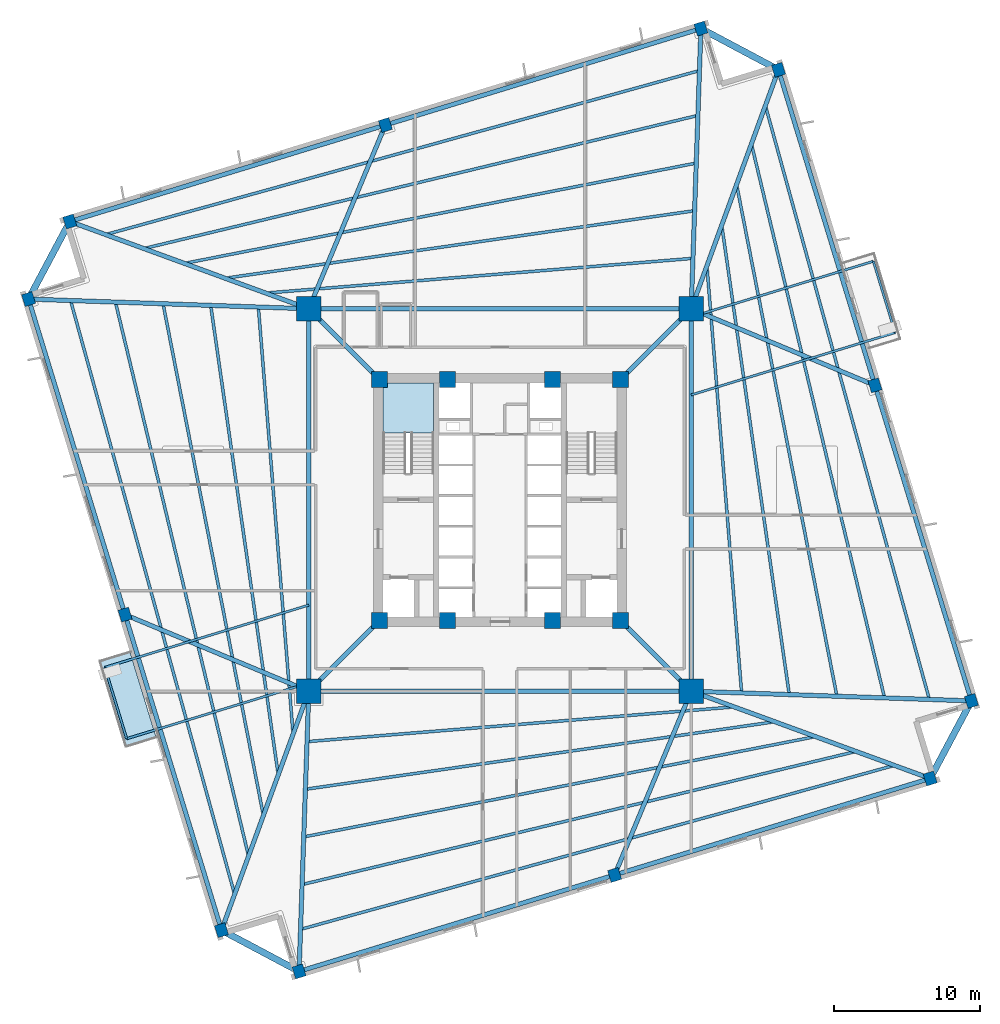
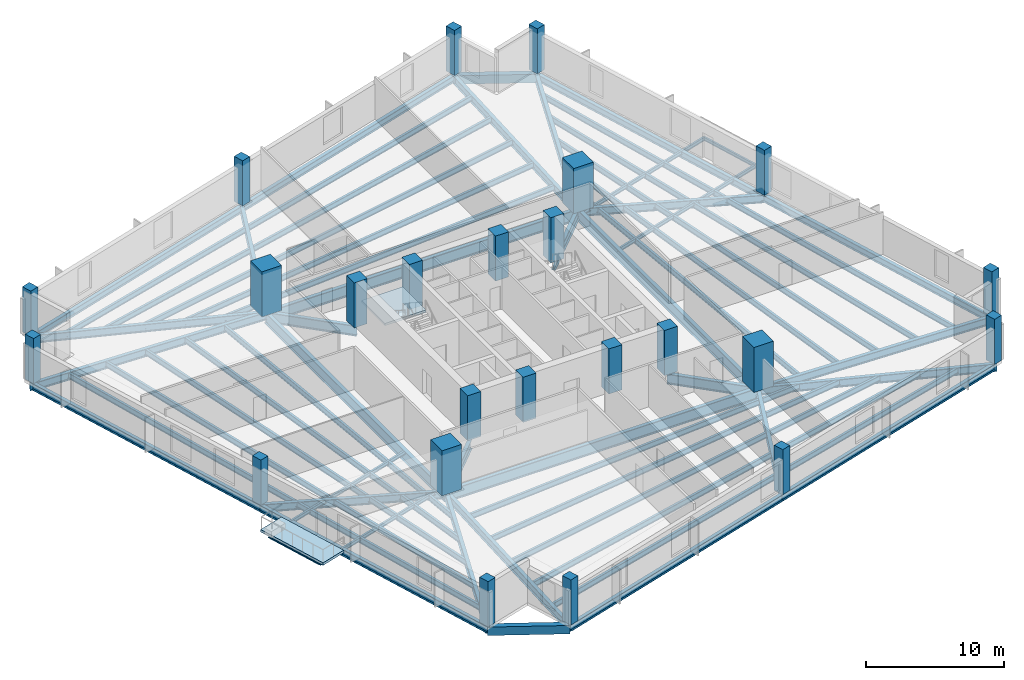
# One storey, part 1 of 9: 58 beams, 24 columns, 2 slabs, 1 element without a shape of its own.
"""IFC4 building model written with IfcOpenShell, lengths in metres."""

from ifc_helpers import new_model, si_unit, direction, frame, origin, origin_2d, place, context, subcontext, project, spatial, polyline, rectangle, i_section, outline, extrude, source, transform, mapped, material, layer, layer_set, material_profile, profile_set, type_object, element, aggregate, save


model = new_model("IFC4")

# Units and contexts
model_context = context("Model", 3, precision=1e-05, world=origin(), true_north=direction((0.0, 1.0)))
body_context = subcontext(model_context, "Body", "Model", "MODEL_VIEW")
ifc_project = project(units=[si_unit("LENGTHUNIT", "METRE"), si_unit("AREAUNIT", "SQUARE_METRE"), si_unit("VOLUMEUNIT", "CUBIC_METRE"), si_unit("PLANEANGLEUNIT", "RADIAN"), si_unit("MASSUNIT", "GRAM", prefix="KILO"), si_unit("THERMODYNAMICTEMPERATUREUNIT", "KELVIN")], contexts=[model_context])

# Site, building, storey
site_placement = place(None, origin())
site = spatial("IfcSite", under=ifc_project, at=site_placement, CompositionType="ELEMENT")
building_placement = place(site_placement, origin())
building = spatial("IfcBuilding", under=site, at=building_placement, Name="Kosmvard Interchange Tower", CompositionType="ELEMENT")
storey_placement = place(building_placement, frame((0.0, 0.0, 107.199951171875)))
storey = spatial("IfcBuildingStorey", under=building, at=storey_placement, Name="L25", CompositionType="ELEMENT", Elevation=107.199951171875)

# Columns
ifc_material_1 = material(Name="Concrete C80/95", Category="concrete")
ifc_material_profile_1 = material_profile(ifc_material_1, rectangle(XDim=1.10009765625, YDim=1.10009765625, at=origin_2d()), Name="CP 1100x1100")
ifc_profile_set_1 = profile_set([ifc_material_profile_1], Name="Concrete C80/95")
column_type_1 = type_object("IfcColumnType", Name="Core Boundary Pilaster 1100x1100 C80/95", PredefinedType="PILASTER", material=ifc_profile_set_1)
shared_shape_1 = source(origin(), body_context, "Body", "SweptSolid", [
    extrude(rectangle(XDim=1.10009765625, YDim=1.10009765625, at=origin_2d()), origin(), (0.0, 0.0, 1.0), 4.0),
])
for number, where, z_axis, x_axis, name in (
    (1, (-8.25, -8.25, 0.0), (0.0, 0.0, 1.0), (1.0, 0.0, 0.0), "L25 Core Pilaster CP1"),
    (2, (8.25, -8.25, 0.0), (0.0, 0.0, 1.0), (1.0, 0.0, 0.0), "L25 Core Pilaster CP2"),
    (3, (8.25, 8.25, 0.0), (0.0, 0.0, 1.0), (1.0, 0.0, 0.0), "L25 Core Pilaster CP3"),
    (4, (-8.25, 8.25, 0.0), (0.0, 0.0, 1.0), (1.0, 0.0, 0.0), "L25 Core Pilaster CP4"),
    (5, (-3.60009765625, -8.25, 0.0), (0.0, 0.0, 1.0), (1.0, 0.0, 0.0), "L25 Core Pilaster CP5"),
    (6, (3.60009765625, -8.25, 0.0), (0.0, 0.0, 1.0), (1.0, 0.0, 0.0), "L25 Core Pilaster CP6"),
    (7, (-3.60009765625, 8.25, 0.0), (0.0, 0.0, 1.0), (1.0, 0.0, 0.0), "L25 Core Pilaster CP7"),
    (8, (3.60009765625, 8.25, 0.0), (0.0, 0.0, 1.0), (1.0, 0.0, 0.0), "L25 Core Pilaster CP8"),
):
    element("IfcColumn", number, at=place(storey_placement, frame(where, z_axis=z_axis, x_axis=x_axis)), inside=storey, type_object=column_type_1, Name=name, PredefinedType="PILASTER", context=body_context, shape_type="MappedRepresentation", body=[
        mapped(shared_shape_1, transform((0.0, 0.0, 0.0), scale=1.0)),
    ])
ifc_material_2 = material(Name="Concrete C70/85", Category="concrete")
ifc_material_profile_2 = material_profile(ifc_material_2, rectangle(XDim=1.64990234375, YDim=1.64990234375, at=origin_2d()), Name="MC 1650x1650")
ifc_profile_set_2 = profile_set([ifc_material_profile_2], Name="Concrete C70/85")
column_type_2 = type_object("IfcColumnType", Name="Composite Mega-Column 1650x1650 C70/85", PredefinedType="COLUMN", material=ifc_profile_set_2)
shared_shape_2 = source(origin(), body_context, "Body", "SweptSolid", [
    extrude(rectangle(XDim=1.64990234375, YDim=1.64990234375, at=origin_2d()), origin(), (0.0, 0.0, 1.0), 4.0),
])
for number, where, z_axis, x_axis, name in (
    (9, (-13.0810546875, -13.0810546875, 0.0), (0.0, 0.0, 1.0), (1.0, 0.0, 0.0), "L25 Corner Mega-Column MC1"),
    (10, (13.0810546875, -13.0810546875, 0.0), (0.0, 0.0, 1.0), (1.0, 0.0, 0.0), "L25 Corner Mega-Column MC2"),
    (11, (13.0810546875, 13.0810546875, 0.0), (0.0, 0.0, 1.0), (1.0, 0.0, 0.0), "L25 Corner Mega-Column MC3"),
    (12, (-13.0810546875, 13.0810546875, 0.0), (0.0, 0.0, 1.0), (1.0, 0.0, 0.0), "L25 Corner Mega-Column MC4"),
):
    element("IfcColumn", number, at=place(storey_placement, frame(where, z_axis=z_axis, x_axis=x_axis)), inside=storey, type_object=column_type_2, Name=name, PredefinedType="COLUMN", context=body_context, shape_type="MappedRepresentation", body=[
        mapped(shared_shape_2, transform((0.0, 0.0, 0.0), scale=1.0)),
    ])
ifc_material_3 = material(Name="Concrete C60/75", Category="concrete")
ifc_material_profile_3 = material_profile(ifc_material_3, rectangle(XDim=0.75, YDim=0.85009765625, at=origin_2d()), Name="TC 850x750")
ifc_profile_set_3 = profile_set([ifc_material_profile_3], Name="Concrete C60/75")
column_type_3 = type_object("IfcColumnType", Name="Zone 2 Perimeter Pier Column 850x750 C60/75", PredefinedType="COLUMN", material=ifc_profile_set_3)
shared_shape_3 = source(origin(), body_context, "Body", "SweptSolid", [
    extrude(rectangle(XDim=0.75, YDim=0.85009765625, at=origin_2d()), origin(), (0.0, 0.0, 1.0), 4.0),
])
for number, where, z_axis, x_axis, name in (
    (13, (-13.74560546875, -32.253173828125, 0.0), (0.0, 0.0, 1.0), (0.956304755963, 0.292371704723, 0.0), "L25 Perimeter Pier Column TC-S1"),
    (14, (7.8427734375, -25.65283203125, 0.0), (0.0, 0.0, 1.0), (0.956304755963, 0.292371704723, 0.0), "L25 Perimeter Pier Column TC-S2"),
    (15, (29.431396484375, -19.052490234375, 0.0), (0.0, 0.0, 1.0), (0.956304755963, 0.292371704723, 0.0), "L25 Perimeter Pier Column TC-S3"),
    (16, (32.253173828125, -13.74560546875, 0.0), (0.0, 0.0, 1.0), (0.956304755963, 0.292371704723, 0.0), "L25 Perimeter Pier Column TC-E1"),
    (17, (25.65283203125, 7.8427734375, 0.0), (0.0, 0.0, 1.0), (0.956304755963, 0.292371704723, 0.0), "L25 Perimeter Pier Column TC-E2"),
    (18, (19.052490234375, 29.431396484375, 0.0), (0.0, 0.0, 1.0), (0.956304755963, 0.292371704723, 0.0), "L25 Perimeter Pier Column TC-E3"),
    (19, (13.74560546875, 32.253173828125, 0.0), (0.0, 0.0, 1.0), (0.956304755963, 0.292371704723, 0.0), "L25 Perimeter Pier Column TC-N1"),
    (20, (-7.8427734375, 25.65283203125, 0.0), (0.0, 0.0, 1.0), (0.956304755963, 0.292371704723, 0.0), "L25 Perimeter Pier Column TC-N2"),
    (21, (-29.431396484375, 19.052490234375, 0.0), (0.0, 0.0, 1.0), (0.956304755963, 0.292371704723, 0.0), "L25 Perimeter Pier Column TC-N3"),
    (22, (-32.253173828125, 13.74560546875, 0.0), (0.0, 0.0, 1.0), (0.956304755963, 0.292371704723, 0.0), "L25 Perimeter Pier Column TC-W1"),
    (23, (-25.65283203125, -7.8427734375, 0.0), (0.0, 0.0, 1.0), (0.956304755963, 0.292371704723, 0.0), "L25 Perimeter Pier Column TC-W2"),
    (24, (-19.052490234375, -29.431396484375, 0.0), (0.0, 0.0, 1.0), (0.956304755963, 0.292371704723, 0.0), "L25 Perimeter Pier Column TC-W3"),
):
    element("IfcColumn", number, at=place(storey_placement, frame(where, z_axis=z_axis, x_axis=x_axis)), inside=storey, type_object=column_type_3, Name=name, PredefinedType="COLUMN", context=body_context, shape_type="MappedRepresentation", body=[
        mapped(shared_shape_3, transform((0.0, 0.0, 0.0), scale=1.0)),
    ])

# Beams
ifc_material_4 = material(Name="Steel S460", Category="steel")
ifc_material_profile_4 = material_profile(ifc_material_4, i_section(OverallWidth=0.30810546875, OverallDepth=0.909912109375, WebThickness=0.02099609375, FlangeThickness=0.0400390625, FilletRadius=0.027099609375, at=origin_2d()), Name="HEM 900")
ifc_profile_set_4 = profile_set([ifc_material_profile_4], Name="Steel S460")
beam_type_1 = type_object("IfcBeamType", Name="Primary Mega-Frame Girder HEM 900 S460", PredefinedType="BEAM", material=ifc_profile_set_4)
shared_shape_4 = source(origin(), body_context, "Body", "SweptSolid", [
    extrude(i_section(OverallWidth=0.30810546875, OverallDepth=0.909912109375, WebThickness=0.02099609375, FlangeThickness=0.0400390625, FilletRadius=0.027099609375, at=origin_2d()), origin(), (0.0, 0.0, 1.0), 6.83203125),
])
for number, where, z_axis, x_axis, name in (
    (25, (-8.25, -8.25, -0.71484375), (-0.707106781187, -0.707106781187, 0.0), (0.707106781187, -0.707106781187, 0.0), "L25 Radial Mega-Frame Girder 1"),
    (26, (8.25, -8.25, -0.71484375), (0.707106781187, -0.707106781187, 0.0), (0.707106781187, 0.707106781187, 0.0), "L25 Radial Mega-Frame Girder 2"),
    (27, (8.25, 8.25, -0.71484375), (0.707106781187, 0.707106781187, 0.0), (-0.707106781187, 0.707106781187, 0.0), "L25 Radial Mega-Frame Girder 3"),
    (28, (-8.25, 8.25, -0.71484375), (-0.707106781187, 0.707106781187, 0.0), (-0.707106781187, -0.707106781187, 0.0), "L25 Radial Mega-Frame Girder 4"),
):
    element("IfcBeam", number, at=place(storey_placement, frame(where, z_axis=z_axis, x_axis=x_axis)), inside=storey, type_object=beam_type_1, Name=name, PredefinedType="BEAM", context=body_context, shape_type="MappedRepresentation", body=[
        mapped(shared_shape_4, transform((0.0, 0.0, 0.0), scale=1.0)),
    ])
ifc_material_profile_5 = material_profile(ifc_material_4, i_section(OverallWidth=0.30908203125, OverallDepth=1.008056640625, WebThickness=0.02099609375, FlangeThickness=0.0400390625, FilletRadius=0.030029296875, at=origin_2d()), Name="HEM 1000")
ifc_profile_set_5 = profile_set([ifc_material_profile_5], Name="Steel S460")
beam_type_2 = type_object("IfcBeamType", Name="Mega-Column Ring Girder HEM 1000 S460", PredefinedType="BEAM", material=ifc_profile_set_5)
shared_shape_5 = source(origin(), body_context, "Body", "SweptSolid", [
    extrude(i_section(OverallWidth=0.30908203125, OverallDepth=1.008056640625, WebThickness=0.02099609375, FlangeThickness=0.0400390625, FilletRadius=0.030029296875, at=origin_2d()), origin(), (0.0, 0.0, 1.0), 26.162109375),
])
for number, where, z_axis, x_axis, name in (
    (29, (-13.0810546875, -13.0810546875, -0.763916015625), (1.0, 0.0, 0.0), (0.0, 1.0, 0.0), "L25 Mega-Column Ring Girder 1"),
    (30, (13.0810546875, -13.0810546875, -0.763916015625), (0.0, 1.0, 0.0), (-1.0, 0.0, 0.0), "L25 Mega-Column Ring Girder 2"),
    (31, (13.0810546875, 13.0810546875, -0.763916015625), (-1.0, 0.0, 0.0), (0.0, -1.0, 0.0), "L25 Mega-Column Ring Girder 3"),
    (32, (-13.0810546875, 13.0810546875, -0.763916015625), (0.0, -1.0, 0.0), (1.0, 0.0, 0.0), "L25 Mega-Column Ring Girder 4"),
):
    element("IfcBeam", number, at=place(storey_placement, frame(where, z_axis=z_axis, x_axis=x_axis)), inside=storey, type_object=beam_type_2, Name=name, PredefinedType="BEAM", context=body_context, shape_type="MappedRepresentation", body=[
        mapped(shared_shape_5, transform((0.0, 0.0, 0.0), scale=1.0)),
    ])
ifc_material_5 = material(Name="Steel S355", Category="steel")
ifc_material_profile_6 = material_profile(ifc_material_5, i_section(OverallWidth=0.14990234375, OverallDepth=0.300048828125, WebThickness=0.007080078125, FlangeThickness=0.0107421875, FilletRadius=0.014892578125, at=origin_2d()), Name="IPE 300")
ifc_profile_set_6 = profile_set([ifc_material_profile_6], Name="Steel S355")
beam_type_3 = type_object("IfcBeamType", Name="Balcony Edge Header Joist IPE 300 S355", PredefinedType="JOIST", material=ifc_profile_set_6)
shared_shape_6 = source(origin(), body_context, "Body", "SweptSolid", [
    extrude(i_section(OverallWidth=0.14990234375, OverallDepth=0.300048828125, WebThickness=0.007080078125, FlangeThickness=0.0107421875, FilletRadius=0.014892578125, at=origin_2d()), origin(), (0.0, 0.0, 1.0), 5.099853515625),
])
for number, where, z_axis, x_axis, name in (
    (33, (27.032470703125, 11.4541015625, -0.409912109375), (-0.292403397238, 0.956295066015, 0.0), (-0.956295066015, -0.292403397238, 0.0), "BM-L25-BJH1"),
    (34, (-27.032470703125, -11.4541015625, -0.409912109375), (0.292403397238, -0.956295066015, 0.0), (0.956295066015, 0.292403397238, 0.0), "BM-L25-BJH2"),
):
    element("IfcBeam", number, at=place(storey_placement, frame(where, z_axis=z_axis, x_axis=x_axis)), inside=storey, type_object=beam_type_3, Name=name, PredefinedType="JOIST", context=body_context, shape_type="MappedRepresentation", body=[
        mapped(shared_shape_6, transform((0.0, 0.0, 0.0), scale=1.0)),
    ])
ifc_material_profile_7 = material_profile(ifc_material_5, i_section(OverallWidth=0.300048828125, OverallDepth=0.60009765625, WebThickness=0.015380859375, FlangeThickness=0.030029296875, FilletRadius=0.027099609375, at=origin_2d()), Name="HEB 600")
ifc_profile_set_7 = profile_set([ifc_material_profile_7], Name="Steel S355")
beam_type_4 = type_object("IfcBeamType", Name="Perimeter Tie Girder HEB 600 S355", PredefinedType="BEAM", material=ifc_profile_set_7)
shared_shape_7 = source(origin(), body_context, "Body", "SweptSolid", [
    extrude(i_section(OverallWidth=0.300048828125, OverallDepth=0.60009765625, WebThickness=0.015380859375, FlangeThickness=0.030029296875, FilletRadius=0.027099609375, at=origin_2d()), origin(), (0.0, 0.0, 1.0), 22.57470703125),
])
for number, where, z_axis, x_axis, name in (
    (35, (-13.74560546875, -32.253173828125, -0.56005859375), (0.956303368768, 0.292376241995, 0.0), (-0.292376241995, 0.956303368768, 0.0), "BM-L25-PR01"),
    (36, (32.253173828125, -13.74560546875, -0.56005859375), (-0.292376241995, 0.956303368768, 0.0), (-0.956303368768, -0.292376241995, 0.0), "BM-L25-PR04"),
    (37, (13.74560546875, 32.253173828125, -0.56005859375), (-0.956303368768, -0.292376241995, 0.0), (0.292376241995, -0.956303368768, 0.0), "BM-L25-PR07"),
    (38, (-32.253173828125, 13.74560546875, -0.56005859375), (0.292376241995, -0.956303368768, 0.0), (0.956303368768, 0.292376241995, 0.0), "BM-L25-PR10"),
):
    element("IfcBeam", number, at=place(storey_placement, frame(where, z_axis=z_axis, x_axis=x_axis)), inside=storey, type_object=beam_type_4, Name=name, PredefinedType="BEAM", context=body_context, shape_type="MappedRepresentation", body=[
        mapped(shared_shape_7, transform((0.0, 0.0, 0.0), scale=1.0)),
    ])
ifc_material_profile_8 = material_profile(ifc_material_5, i_section(OverallWidth=0.300048828125, OverallDepth=0.699951171875, WebThickness=0.01708984375, FlangeThickness=0.031982421875, FilletRadius=0.027099609375, at=origin_2d()), Name="HEB 700")
ifc_profile_set_8 = profile_set([ifc_material_profile_8], Name="Steel S355")
beam_type_5 = type_object("IfcBeamType", Name="Primary Floor Girder HEB 700 S355", PredefinedType="BEAM", material=ifc_profile_set_8)
shared_shape_8 = source(origin(), body_context, "Body", "SweptSolid", [
    extrude(i_section(OverallWidth=0.300048828125, OverallDepth=0.699951171875, WebThickness=0.01708984375, FlangeThickness=0.031982421875, FilletRadius=0.027099609375, at=origin_2d()), origin(), (0.0, 0.0, 1.0), 19.18359375),
])
for number, where, z_axis, x_axis, name in (
    (39, (-13.0810546875, -13.0810546875, -0.60986328125), (-0.034641549738, -0.999399801397, 0.0), (0.999399801397, -0.034641549738, 0.0), "BM-L25-RD01"),
    (40, (13.0810546875, -13.0810546875, -0.60986328125), (0.999399801397, -0.034641549738, 0.0), (0.034641549738, 0.999399801397, 0.0), "BM-L25-RD04"),
    (41, (13.0810546875, 13.0810546875, -0.60986328125), (0.034641549738, 0.999399801397, 0.0), (-0.999399801397, 0.034641549738, 0.0), "BM-L25-RD07"),
    (42, (-13.0810546875, 13.0810546875, -0.60986328125), (-0.999399801397, 0.034641549738, 0.0), (-0.034641549738, -0.999399801397, 0.0), "BM-L25-RD10"),
):
    element("IfcBeam", number, at=place(storey_placement, frame(where, z_axis=z_axis, x_axis=x_axis)), inside=storey, type_object=beam_type_5, Name=name, PredefinedType="BEAM", context=body_context, shape_type="MappedRepresentation", body=[
        mapped(shared_shape_8, transform((0.0, 0.0, 0.0), scale=1.0)),
    ])
shared_shape_9 = source(origin(), body_context, "Body", "SweptSolid", [
    extrude(i_section(OverallWidth=0.300048828125, OverallDepth=0.60009765625, WebThickness=0.015380859375, FlangeThickness=0.030029296875, FilletRadius=0.027099609375, at=origin_2d()), origin(), (0.0, 0.0, 1.0), 22.574951171875),
])
for number, where, z_axis, x_axis, name in (
    (43, (7.8427734375, -25.65283203125, -0.56005859375), (0.956304293239, 0.292373218222, 0.0), (-0.292373218222, 0.956304293239, 0.0), "BM-L25-PR02"),
    (44, (25.65283203125, 7.8427734375, -0.56005859375), (-0.292373218222, 0.956304293239, 0.0), (-0.956304293239, -0.292373218222, 0.0), "BM-L25-PR05"),
    (45, (-7.8427734375, 25.65283203125, -0.56005859375), (-0.956304293239, -0.292373218222, 0.0), (0.292373218222, -0.956304293239, 0.0), "BM-L25-PR08"),
    (46, (-25.65283203125, -7.8427734375, -0.56005859375), (0.292373218222, -0.956304293239, 0.0), (0.956304293239, 0.292373218222, 0.0), "BM-L25-PR11"),
):
    element("IfcBeam", number, at=place(storey_placement, frame(where, z_axis=z_axis, x_axis=x_axis)), inside=storey, type_object=beam_type_4, Name=name, PredefinedType="BEAM", context=body_context, shape_type="MappedRepresentation", body=[
        mapped(shared_shape_9, transform((0.0, 0.0, 0.0), scale=1.0)),
    ])
shared_shape_10 = source(origin(), body_context, "Body", "SweptSolid", [
    extrude(i_section(OverallWidth=0.300048828125, OverallDepth=0.699951171875, WebThickness=0.01708984375, FlangeThickness=0.031982421875, FilletRadius=0.027099609375, at=origin_2d()), origin(), (0.0, 0.0, 1.0), 13.619384765625),
])
for number, where, z_axis, x_axis, name in (
    (47, (13.0810546875, -13.0810546875, -0.60986328125), (-0.384617930303, -0.92307586237, 0.0), (0.92307586237, -0.384617930303, 0.0), "BM-L25-RD02"),
    (48, (13.0810546875, 13.0810546875, -0.60986328125), (0.92307586237, -0.384617930303, 0.0), (0.384617930303, 0.92307586237, 0.0), "BM-L25-RD05"),
    (49, (-13.0810546875, 13.0810546875, -0.60986328125), (0.384617930303, 0.92307586237, 0.0), (-0.92307586237, 0.384617930303, 0.0), "BM-L25-RD08"),
    (50, (-13.0810546875, -13.0810546875, -0.60986328125), (-0.92307586237, 0.384617930303, 0.0), (-0.384617930303, -0.92307586237, 0.0), "BM-L25-RD11"),
):
    element("IfcBeam", number, at=place(storey_placement, frame(where, z_axis=z_axis, x_axis=x_axis)), inside=storey, type_object=beam_type_5, Name=name, PredefinedType="BEAM", context=body_context, shape_type="MappedRepresentation", body=[
        mapped(shared_shape_10, transform((0.0, 0.0, 0.0), scale=1.0)),
    ])
ifc_material_6 = material(Name="Precast concrete C45/55", Category="concrete")
ifc_material_profile_9 = material_profile(ifc_material_6, rectangle(XDim=0.449951171875, YDim=0.75, at=origin_2d()), Name="SL 450x750")
ifc_profile_set_9 = profile_set([ifc_material_profile_9], Name="Precast concrete C45/55")
beam_type_6 = type_object("IfcBeamType", Name="Precast Spandrel Lintel 450x750 C45/55", PredefinedType="LINTEL", material=ifc_profile_set_9)
shared_shape_11 = source(origin(), body_context, "Body", "SweptSolid", [
    extrude(rectangle(XDim=0.449951171875, YDim=0.75, at=origin_2d()), origin(), (0.0, 0.0, 1.0), 6.010498046875),
])
for number, where, z_axis, x_axis, name in (
    (51, (29.431396484375, -19.052490234375, -0.635009765625), (0.469478912111, 0.882943685114, 0.0), (-0.882943685114, 0.469478912111, 0.0), "BM-L25-SL1"),
    (52, (19.052490234375, 29.431396484375, -0.635009765625), (-0.882943685114, 0.469478912111, 0.0), (-0.469478912111, -0.882943685114, 0.0), "BM-L25-SL2"),
    (53, (-29.431396484375, 19.052490234375, -0.635009765625), (-0.469478912111, -0.882943685114, 0.0), (0.882943685114, -0.469478912111, 0.0), "BM-L25-SL3"),
    (54, (-19.052490234375, -29.431396484375, -0.635009765625), (0.882943685114, -0.469478912111, 0.0), (0.469478912111, 0.882943685114, 0.0), "BM-L25-SL4"),
):
    element("IfcBeam", number, at=place(storey_placement, frame(where, z_axis=z_axis, x_axis=x_axis)), inside=storey, type_object=beam_type_6, Name=name, PredefinedType="LINTEL", context=body_context, shape_type="MappedRepresentation", body=[
        mapped(shared_shape_11, transform((0.0, 0.0, 0.0), scale=1.0)),
    ])
shared_shape_12 = source(origin(), body_context, "Body", "SweptSolid", [
    extrude(i_section(OverallWidth=0.300048828125, OverallDepth=0.699951171875, WebThickness=0.01708984375, FlangeThickness=0.031982421875, FilletRadius=0.027099609375, at=origin_2d()), origin(), (0.0, 0.0, 1.0), 17.40673828125),
])
for number, where, z_axis, x_axis, name in (
    (55, (13.0810546875, -13.0810546875, -0.60986328125), (0.939315429031, -0.343054696491, 0.0), (0.343054696491, 0.939315429031, 0.0), "BM-L25-RD03"),
    (56, (13.0810546875, 13.0810546875, -0.60986328125), (0.343054696491, 0.939315429031, 0.0), (-0.939315429031, 0.343054696491, 0.0), "BM-L25-RD06"),
    (57, (-13.0810546875, 13.0810546875, -0.60986328125), (-0.939315429031, 0.343054696491, 0.0), (-0.343054696491, -0.939315429031, 0.0), "BM-L25-RD09"),
    (58, (-13.0810546875, -13.0810546875, -0.60986328125), (-0.343054696491, -0.939315429031, 0.0), (0.939315429031, -0.343054696491, 0.0), "BM-L25-RD12"),
):
    element("IfcBeam", number, at=place(storey_placement, frame(where, z_axis=z_axis, x_axis=x_axis)), inside=storey, type_object=beam_type_5, Name=name, PredefinedType="BEAM", context=body_context, shape_type="MappedRepresentation", body=[
        mapped(shared_shape_12, transform((0.0, 0.0, 0.0), scale=1.0)),
    ])
ifc_material_profile_10 = material_profile(ifc_material_5, i_section(OverallWidth=0.199951171875, OverallDepth=0.5, WebThickness=0.01025390625, FlangeThickness=0.01611328125, FilletRadius=0.02099609375, at=origin_2d()), Name="IPE 500")
ifc_profile_set_10 = profile_set([ifc_material_profile_10], Name="Steel S355")
beam_type_7 = type_object("IfcBeamType", Name="Standard Floor Joist IPE 500 S355", PredefinedType="JOIST", material=ifc_profile_set_10)
shared_shape_13 = source(origin(), body_context, "Body", "SweptSolid", [
    extrude(i_section(OverallWidth=0.199951171875, OverallDepth=0.5, WebThickness=0.01025390625, FlangeThickness=0.01611328125, FilletRadius=0.02099609375, at=origin_2d()), origin(), (0.0, 0.0, 1.0), 29.1611328125),
])
for number, where, z_axis, x_axis, name in (
    (59, (-13.120849609375, -16.525390625, -0.510009765625), (0.99671134435, 0.081033919093, 0.0), (-0.081033919093, 0.99671134435, 0.0), "BM-L25-FJ01"),
    (60, (16.525390625, -13.120849609375, -0.510009765625), (-0.081033919093, 0.99671134435, 0.0), (-0.99671134435, -0.081033919093, 0.0), "BM-L25-FJ06"),
    (61, (13.120849609375, 16.525390625, -0.510009765625), (-0.99671134435, -0.081033919093, 0.0), (0.081033919093, -0.99671134435, 0.0), "BM-L25-FJ11"),
    (62, (-16.525390625, 13.120849609375, -0.510009765625), (0.081033919093, -0.99671134435, 0.0), (0.99671134435, 0.081033919093, 0.0), "BM-L25-FJ16"),
):
    element("IfcBeam", number, at=place(storey_placement, frame(where, z_axis=z_axis, x_axis=x_axis)), inside=storey, type_object=beam_type_7, Name=name, PredefinedType="JOIST", context=body_context, shape_type="MappedRepresentation", body=[
        mapped(shared_shape_13, transform((0.0, 0.0, 0.0), scale=1.0)),
    ])
shared_shape_14 = source(origin(), body_context, "Body", "SweptSolid", [
    extrude(i_section(OverallWidth=0.199951171875, OverallDepth=0.5, WebThickness=0.01025390625, FlangeThickness=0.01611328125, FilletRadius=0.02099609375, at=origin_2d()), origin(), (0.0, 0.0, 1.0), 32.287841796875),
])
for number, where, z_axis, x_axis, name in (
    (63, (-13.234375, -19.77978515625, -0.510009765625), (0.989810798314, 0.142388846268, 0.0), (-0.142388846268, 0.989810798314, 0.0), "BM-L25-FJ02"),
    (64, (19.77978515625, -13.234375, -0.510009765625), (-0.142388846268, 0.989810798314, 0.0), (-0.989810798314, -0.142388846268, 0.0), "BM-L25-FJ07"),
    (65, (13.234375, 19.77978515625, -0.510009765625), (-0.989810798314, -0.142388846268, 0.0), (0.142388846268, -0.989810798314, 0.0), "BM-L25-FJ12"),
    (66, (-19.77978515625, 13.234375, -0.510009765625), (0.142388846268, -0.989810798314, 0.0), (0.989810798314, 0.142388846268, 0.0), "BM-L25-FJ17"),
):
    element("IfcBeam", number, at=place(storey_placement, frame(where, z_axis=z_axis, x_axis=x_axis)), inside=storey, type_object=beam_type_7, Name=name, PredefinedType="JOIST", context=body_context, shape_type="MappedRepresentation", body=[
        mapped(shared_shape_14, transform((0.0, 0.0, 0.0), scale=1.0)),
    ])
shared_shape_15 = source(origin(), body_context, "Body", "SweptSolid", [
    extrude(i_section(OverallWidth=0.199951171875, OverallDepth=0.5, WebThickness=0.01025390625, FlangeThickness=0.01611328125, FilletRadius=0.02099609375, at=origin_2d()), origin(), (0.0, 0.0, 1.0), 35.516357421875),
])
for number, where, z_axis, x_axis, name in (
    (67, (-13.34814453125, -23.03515625, -0.510009765625), (0.981315785618, 0.192404077134, 0.0), (-0.192404077134, 0.981315785618, 0.0), "BM-L25-FJ03"),
    (68, (23.03515625, -13.34814453125, -0.510009765625), (-0.192404077134, 0.981315785618, 0.0), (-0.981315785618, -0.192404077134, 0.0), "BM-L25-FJ08"),
    (69, (13.34814453125, 23.03515625, -0.510009765625), (-0.981315785618, -0.192404077134, 0.0), (0.192404077134, -0.981315785618, 0.0), "BM-L25-FJ13"),
    (70, (-23.03515625, 13.34814453125, -0.510009765625), (0.192404077134, -0.981315785618, 0.0), (0.981315785618, 0.192404077134, 0.0), "BM-L25-FJ18"),
):
    element("IfcBeam", number, at=place(storey_placement, frame(where, z_axis=z_axis, x_axis=x_axis)), inside=storey, type_object=beam_type_7, Name=name, PredefinedType="JOIST", context=body_context, shape_type="MappedRepresentation", body=[
        mapped(shared_shape_15, transform((0.0, 0.0, 0.0), scale=1.0)),
    ])
shared_shape_16 = source(origin(), body_context, "Body", "SweptSolid", [
    extrude(i_section(OverallWidth=0.199951171875, OverallDepth=0.5, WebThickness=0.01025390625, FlangeThickness=0.01611328125, FilletRadius=0.02099609375, at=origin_2d()), origin(), (0.0, 0.0, 1.0), 38.821533203125),
])
for number, where, z_axis, x_axis, name in (
    (71, (-13.4619140625, -26.291015625, -0.510009765625), (0.972318244358, 0.233660505198, 0.0), (-0.233660505198, 0.972318244358, 0.0), "BM-L25-FJ04"),
    (72, (26.291015625, -13.4619140625, -0.510009765625), (-0.233660505198, 0.972318244358, 0.0), (-0.972318244358, -0.233660505198, 0.0), "BM-L25-FJ09"),
    (73, (13.4619140625, 26.291015625, -0.510009765625), (-0.972318244358, -0.233660505198, 0.0), (0.233660505198, -0.972318244358, 0.0), "BM-L25-FJ14"),
    (74, (-26.291015625, 13.4619140625, -0.510009765625), (0.233660505198, -0.972318244358, 0.0), (0.972318244358, 0.233660505198, 0.0), "BM-L25-FJ19"),
):
    element("IfcBeam", number, at=place(storey_placement, frame(where, z_axis=z_axis, x_axis=x_axis)), inside=storey, type_object=beam_type_7, Name=name, PredefinedType="JOIST", context=body_context, shape_type="MappedRepresentation", body=[
        mapped(shared_shape_16, transform((0.0, 0.0, 0.0), scale=1.0)),
    ])
shared_shape_17 = source(origin(), body_context, "Body", "SweptSolid", [
    extrude(i_section(OverallWidth=0.199951171875, OverallDepth=0.5, WebThickness=0.01025390625, FlangeThickness=0.01611328125, FilletRadius=0.02099609375, at=origin_2d()), origin(), (0.0, 0.0, 1.0), 41.98583984375),
])
for number, where, z_axis, x_axis, name in (
    (75, (-13.56884765625, -29.35595703125, -0.510009765625), (0.96391074105, 0.266225624778, 0.0), (-0.266225624778, 0.96391074105, 0.0), "BM-L25-FJ05"),
    (76, (29.35595703125, -13.56884765625, -0.510009765625), (-0.266225624778, 0.96391074105, 0.0), (-0.96391074105, -0.266225624778, 0.0), "BM-L25-FJ10"),
    (77, (13.56884765625, 29.35595703125, -0.510009765625), (-0.96391074105, -0.266225624778, 0.0), (0.266225624778, -0.96391074105, 0.0), "BM-L25-FJ15"),
    (78, (-29.35595703125, 13.56884765625, -0.510009765625), (0.266225624778, -0.96391074105, 0.0), (0.96391074105, 0.266225624778, 0.0), "BM-L25-FJ20"),
):
    element("IfcBeam", number, at=place(storey_placement, frame(where, z_axis=z_axis, x_axis=x_axis)), inside=storey, type_object=beam_type_7, Name=name, PredefinedType="JOIST", context=body_context, shape_type="MappedRepresentation", body=[
        mapped(shared_shape_17, transform((0.0, 0.0, 0.0), scale=1.0)),
    ])
ifc_material_profile_11 = material_profile(ifc_material_5, i_section(OverallWidth=0.159912109375, OverallDepth=0.330078125, WebThickness=0.007568359375, FlangeThickness=0.011474609375, FilletRadius=0.01806640625, at=origin_2d()), Name="IPE 330")
ifc_profile_set_11 = profile_set([ifc_material_profile_11], Name="Steel S355")
beam_type_8 = type_object("IfcBeamType", Name="Balcony Cantilever Joist IPE 330 S355", PredefinedType="JOIST", material=ifc_profile_set_11)
shared_shape_18 = source(origin(), body_context, "Body", "SweptSolid", [
    extrude(i_section(OverallWidth=0.159912109375, OverallDepth=0.330078125, WebThickness=0.007568359375, FlangeThickness=0.011474609375, FilletRadius=0.01806640625, at=origin_2d()), origin(), (0.0, 0.0, 1.0), 14.5888671875),
])
for number, where, z_axis, x_axis, name in (
    (79, (13.0810546875, 7.188720703125, -0.425048828125), (0.95630466141, 0.292372013991, 0.0), (-0.292372013991, 0.95630466141, 0.0), "BM-L25-BJ1"),
    (80, (-13.0810546875, -7.188720703125, -0.425048828125), (-0.95630466141, -0.292372013991, 0.0), (0.292372013991, -0.95630466141, 0.0), "BM-L25-BJ2"),
):
    element("IfcBeam", number, at=place(storey_placement, frame(where, z_axis=z_axis, x_axis=x_axis)), inside=storey, type_object=beam_type_8, Name=name, PredefinedType="JOIST", context=body_context, shape_type="MappedRepresentation", body=[
        mapped(shared_shape_18, transform((0.0, 0.0, 0.0), scale=1.0)),
    ])
shared_shape_19 = source(origin(), body_context, "Body", "SweptSolid", [
    extrude(i_section(OverallWidth=0.159912109375, OverallDepth=0.330078125, WebThickness=0.007568359375, FlangeThickness=0.011474609375, FilletRadius=0.01806640625, at=origin_2d()), origin(), (0.0, 0.0, 1.0), 13.029541015625),
])
for number, where, z_axis, x_axis, name in (
    (81, (13.0810546875, 12.521728515625, -0.425048828125), (0.956307777684, 0.292361820938, 0.0), (-0.292361820938, 0.956307777684, 0.0), "BM-L25-BJB1"),
    (82, (-13.0810546875, -12.521728515625, -0.425048828125), (-0.956307777684, -0.292361820938, 0.0), (0.292361820938, -0.956307777684, 0.0), "BM-L25-BJB2"),
):
    element("IfcBeam", number, at=place(storey_placement, frame(where, z_axis=z_axis, x_axis=x_axis)), inside=storey, type_object=beam_type_8, Name=name, PredefinedType="JOIST", context=body_context, shape_type="MappedRepresentation", body=[
        mapped(shared_shape_19, transform((0.0, 0.0, 0.0), scale=1.0)),
    ])

# Stair, slab
ifc_material_7 = material(Name="Concrete C50/60", Category="concrete")
stair_type = type_object("IfcStairType", Name="Dog-Leg Core Exit Stair H4000 C50/60", PredefinedType="HALF_TURN_STAIR", material=ifc_material_7)
stair_placement = place(storey_placement, origin())
stair = element("IfcStair", 83, at=stair_placement, inside=storey, type_object=stair_type, Name="L25 Protected Exit Stair ST-1", PredefinedType="HALF_TURN_STAIR")
ifc_layer_1 = layer(ifc_material_7, 0.199951171875, Name="Concrete C50/60")
ifc_layer_set_1 = layer_set([ifc_layer_1], Name="Concrete C50/60")
slab_type_1 = type_object("IfcSlabType", Name="Stair Half-Landing Slab 200 C50/60", PredefinedType="LANDING", material=ifc_layer_set_1)
slab_1_placement = place(storey_placement, frame((0.0, 0.0, 1.800048828125)))
slab_1 = element("IfcSlab", 84, at=slab_1_placement, type_object=slab_type_1, Name="ST-1 landing 1", PredefinedType="LANDING", context=body_context, shape_type="SweptSolid", body=[
    extrude(outline(polyline([(-4.5400390625, 4.60009765625), (-4.5400390625, 8.0), (-8.0, 8.0), (-8.0, 4.60009765625), (-4.5400390625, 4.60009765625)])), origin(), (0.0, 0.0, 1.0), 0.199951171875),
])
aggregate(stair, [slab_1])

# Slab
ifc_layer_2 = layer(ifc_material_7, 0.22998046875, Name="Concrete C50/60")
ifc_layer_set_2 = layer_set([ifc_layer_2], Name="Concrete C50/60")
slab_type_2 = type_object("IfcSlabType", Name="Tree-Planter Cantilever Balcony Slab 230 C50/60", PredefinedType="FLOOR", material=ifc_layer_set_2)
slab_2_placement = place(storey_placement, frame((0.0, 0.0, -0.22998046875)))
element("IfcSlab", 85, at=slab_2_placement, inside=storey, type_object=slab_type_2, Name="L25 Outdoor Terrace Balcony Slab BAL-L25-W", PredefinedType="FLOOR", context=body_context, shape_type="SweptSolid", body=[
    extrude(outline(polyline([(-25.61962890625, -16.93017578125), (-23.515625, -16.286865234375), (-25.328369140625, -10.35791015625), (-27.43212890625, -11.001220703125), (-25.61962890625, -16.93017578125)])), origin(), (0.0, 0.0, 1.0), 0.22998046875),
])

save(model, "model.ifc")
